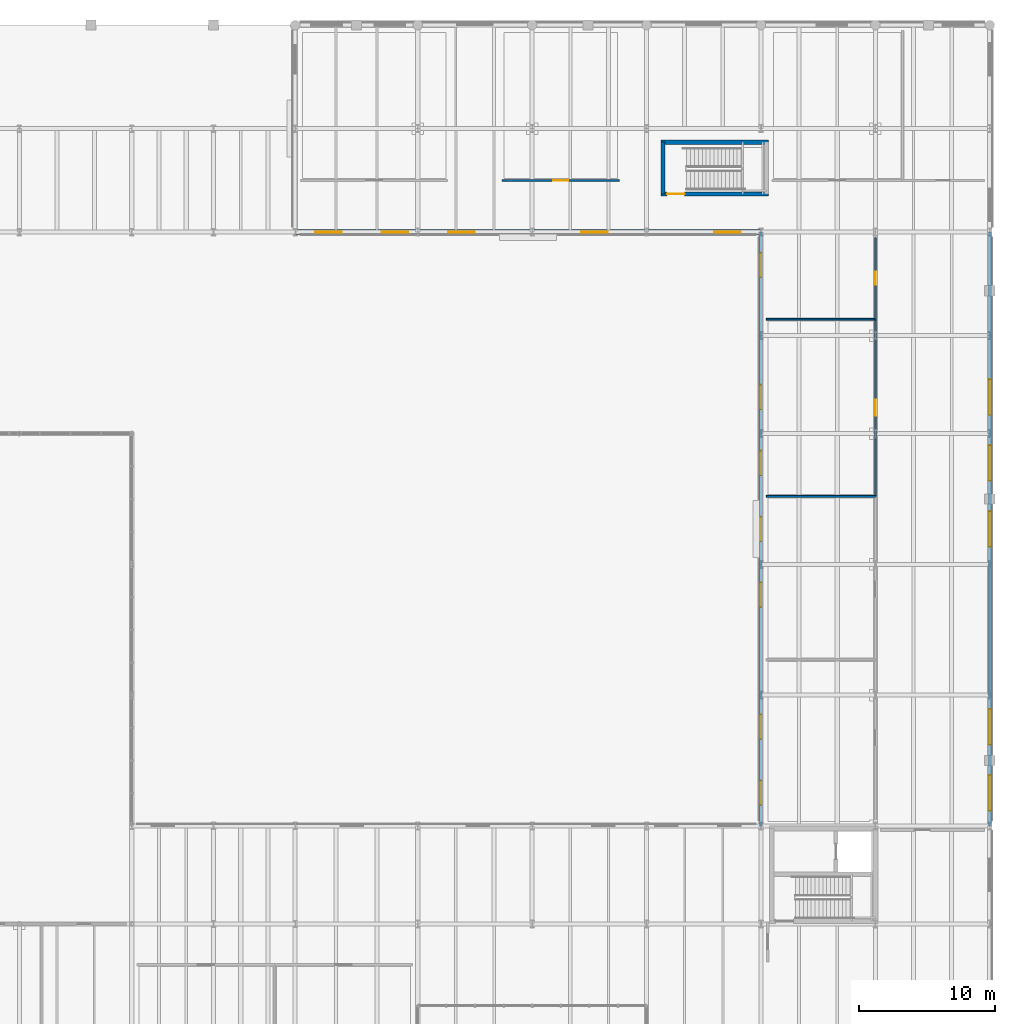
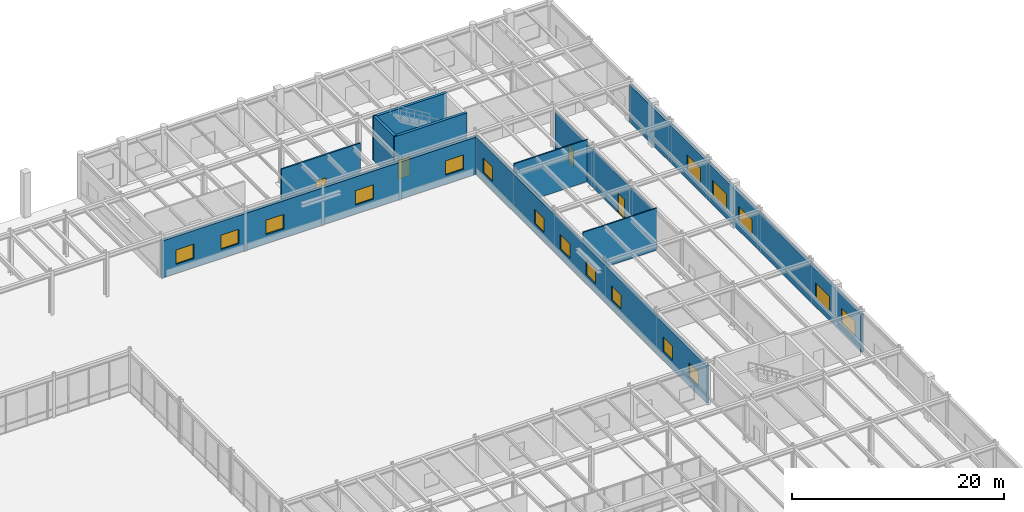
# One storey, part 46 of 64: 17 windows, 11 walls, 4 doors, 21 openings.
"""IFC4 building model written with IfcOpenShell, lengths in metres."""

from ifc_helpers import new_model, si_unit, direction, frame, frame_2d, origin, place, context, subcontext, project, spatial, rectangle, extrude, material, layer, layer_set, type_object, element, fill, save


model = new_model("IFC4")

# Units and contexts
model_context = context("Model", 3, precision=1e-05, world=origin(), true_north=direction((0.0, 1.0)))
body_context = subcontext(model_context, "Body", "Model", "MODEL_VIEW")
ifc_project = project(units=[si_unit("LENGTHUNIT", "METRE"), si_unit("AREAUNIT", "SQUARE_METRE"), si_unit("VOLUMEUNIT", "CUBIC_METRE"), si_unit("PLANEANGLEUNIT", "RADIAN"), si_unit("MASSUNIT", "GRAM", prefix="KILO")], contexts=[model_context])

# Site, building, storey
site_placement = place(None, origin())
site = spatial("IfcSite", under=ifc_project, at=site_placement, CompositionType="ELEMENT")
building_placement = place(site_placement, origin())
building = spatial("IfcBuilding", under=site, at=building_placement, Name="Montealbar Specialist Clinic", CompositionType="ELEMENT")
storey_placement = place(building_placement, origin())
storey = spatial("IfcBuildingStorey", under=building, at=storey_placement, Name="L00", CompositionType="ELEMENT", Elevation=0.0)

# Wall, opening, door
ifc_material_1 = material(Name="Concrete C35/45", Category="concrete")
ifc_layer_1 = layer(ifc_material_1, 0.300048828125, Name="Concrete C35/45", Category="concrete")
ifc_layer_set_1 = layer_set([ifc_layer_1], Name="Concrete C35/45")
wall_type_1 = type_object("IfcWallType", Name="WL-CORE-300", PredefinedType="SHEAR", material=ifc_layer_set_1)
wall_1_placement = place(storey_placement, frame((137.85009765625, 98.60009765625, 0.0), z_axis=(0.0, 0.0, 1.0), x_axis=(1.0, 0.0, 0.0)))
wall_1 = element("IfcWall", 1, at=wall_1_placement, inside=storey, type_object=wall_type_1, Name="Core C7 Shear Wall L00 S", PredefinedType="SHEAR", context=body_context, shape_type="SweptSolid", body=[
    extrude(rectangle(XDim=7.89990234375, YDim=0.300048828125, at=frame_2d((3.949951171875, 0.0))), origin(), (0.0, 0.0, 1.0), 5.10009765625),
])
opening_1_placement = place(wall_1_placement, frame((0.449951171875, 0.0, 0.0)))
opening_1 = element("IfcOpeningElement", 2, at=opening_1_placement, cuts=wall_1, Name="Opening SD-13", PredefinedType="OPENING", context=body_context, shape_type="SweptSolid", body=[
    extrude(rectangle(XDim=1.300048828125, YDim=2.14990234375, at=frame_2d((0.64990234375, 1.074951171875))), frame((0.0, 0.159912109375, 0.0), z_axis=(0.0, -1.0, 0.0), x_axis=(1.0, 0.0, 0.0)), (0.0, 0.0, 1.0), 0.320068359375),
])
ifc_material_2 = material(Name="Steel S355", Category="steel")
door_type_1 = type_object("IfcDoorType", Name="DR-STAIR-W1300", OperationType="NOTDEFINED", PredefinedType="DOOR", material=ifc_material_2)
door_1_placement = place(opening_1_placement, frame((1.300048828125, 0.0, 0.0), z_axis=(0.0, 0.0, 1.0), x_axis=(-1.0, 0.0, 0.0)))
door_1 = element("IfcDoor", 3, at=door_1_placement, inside=storey, type_object=door_type_1, Name="Protected Core C7 Stair Fire Door L00", OperationType="SINGLE_SWING_RIGHT", OverallHeight=2.14990234375, OverallWidth=1.300048828125, PredefinedType="DOOR", context=body_context, shape_type="SweptSolid", body=[
    extrude(rectangle(XDim=1.300048828125, YDim=2.14990234375, at=frame_2d((0.64990234375, 1.074951171875))), frame((0.0, 0.02490234375, 0.0), z_axis=(0.0, -1.0, 0.0), x_axis=(1.0, 0.0, 0.0)), (0.0, 0.0, 1.0), 0.050048828125),
])
fill(opening_1, door_1)

# Walls
wall_2_placement = place(storey_placement, frame((137.85009765625, 102.39990234375, 0.0), z_axis=(0.0, 0.0, 1.0), x_axis=(1.0, 0.0, 0.0)))
element("IfcWall", 4, at=wall_2_placement, inside=storey, type_object=wall_type_1, Name="Core C7 Shear Wall L00 N", PredefinedType="SHEAR", context=body_context, shape_type="SweptSolid", body=[
    extrude(rectangle(XDim=7.89990234375, YDim=0.300048828125, at=frame_2d((3.949951171875, 0.0))), origin(), (0.0, 0.0, 1.0), 5.10009765625),
])
wall_3_placement = place(storey_placement, frame((138.0, 98.60009765625, 0.0), z_axis=(0.0, 0.0, 1.0), x_axis=(0.0, 1.0, 0.0)))
element("IfcWall", 5, at=wall_3_placement, inside=storey, type_object=wall_type_1, Name="Core C7 Shear Wall L00 W", PredefinedType="SHEAR", context=body_context, shape_type="SweptSolid", body=[
    extrude(rectangle(XDim=3.7998046875, YDim=0.300048828125, at=frame_2d((1.89990234375, 0.0))), origin(), (0.0, 0.0, 1.0), 5.10009765625),
])

# Wall, openings, windows
ifc_material_3 = material(Name="Guadarrama granite ashlar", Category="masonry")
ifc_layer_2 = layer(ifc_material_3, 0.35009765625, Name="Guadarrama granite ashlar", Category="masonry")
ifc_layer_set_2 = layer_set([ifc_layer_2], Name="Guadarrama granite ashlar")
wall_type_2 = type_object("IfcWallType", Name="WL-EXT-GRANITE-350", PredefinedType="SOLIDWALL", material=ifc_layer_set_2)
wall_4_placement = place(storey_placement, frame((145.199951171875, 95.800048828125, 0.0), z_axis=(0.0, 0.0, 1.0), x_axis=(-1.0, 0.0, 0.0)))
wall_4 = element("IfcWall", 6, at=wall_4_placement, inside=storey, type_object=wall_type_2, Name="Exterior Facade Wall EW-L00-006", PredefinedType="SOLIDWALL", context=body_context, shape_type="SweptSolid", body=[
    extrude(rectangle(XDim=34.199951171875, YDim=0.35009765625, at=frame_2d((17.10009765625, 0.0))), origin(), (0.0, 0.0, 1.0), 4.260009765625),
])
opening_2_placement = place(wall_4_placement, frame((1.468017578125, 0.0, 1.050048828125)))
opening_2 = element("IfcOpeningElement", 7, at=opening_2_placement, cuts=wall_4, Name="Opening WN-06", PredefinedType="OPENING", context=body_context, shape_type="SweptSolid", body=[
    extrude(rectangle(XDim=1.949951171875, YDim=1.64990234375, at=frame_2d((0.97509765625, 0.824951171875))), frame((0.0, 0.18505859375, 0.0), z_axis=(0.0, -1.0, 0.0), x_axis=(1.0, 0.0, 0.0)), (0.0, 0.0, 1.0), 0.3701171875),
])
opening_3_placement = place(wall_4_placement, frame((11.239013671875, 0.0, 1.050048828125)))
opening_3 = element("IfcOpeningElement", 8, at=opening_3_placement, cuts=wall_4, Name="Opening WN-06", PredefinedType="OPENING", context=body_context, shape_type="SweptSolid", body=[
    extrude(rectangle(XDim=1.949951171875, YDim=1.64990234375, at=frame_2d((0.97509765625, 0.824951171875))), frame((0.0, 0.18505859375, 0.0), z_axis=(0.0, -1.0, 0.0), x_axis=(1.0, 0.0, 0.0)), (0.0, 0.0, 1.0), 0.3701171875),
])
opening_4_placement = place(wall_4_placement, frame((21.010986328125, 0.0, 1.050048828125)))
opening_4 = element("IfcOpeningElement", 9, at=opening_4_placement, cuts=wall_4, Name="Opening WN-06", PredefinedType="OPENING", context=body_context, shape_type="SweptSolid", body=[
    extrude(rectangle(XDim=1.949951171875, YDim=1.64990234375, at=frame_2d((0.97509765625, 0.824951171875))), frame((0.0, 0.18505859375, 0.0), z_axis=(0.0, -1.0, 0.0), x_axis=(1.0, 0.0, 0.0)), (0.0, 0.0, 1.0), 0.3701171875),
])
opening_5_placement = place(wall_4_placement, frame((25.89599609375, 0.0, 1.050048828125)))
opening_5 = element("IfcOpeningElement", 10, at=opening_5_placement, cuts=wall_4, Name="Opening WN-06", PredefinedType="OPENING", context=body_context, shape_type="SweptSolid", body=[
    extrude(rectangle(XDim=1.949951171875, YDim=1.64990234375, at=frame_2d((0.97509765625, 0.824951171875))), frame((0.0, 0.18505859375, 0.0), z_axis=(0.0, -1.0, 0.0), x_axis=(1.0, 0.0, 0.0)), (0.0, 0.0, 1.0), 0.3701171875),
])
opening_6_placement = place(wall_4_placement, frame((30.781982421875, 0.0, 1.050048828125)))
opening_6 = element("IfcOpeningElement", 11, at=opening_6_placement, cuts=wall_4, Name="Opening WN-06", PredefinedType="OPENING", context=body_context, shape_type="SweptSolid", body=[
    extrude(rectangle(XDim=1.949951171875, YDim=1.64990234375, at=frame_2d((0.97509765625, 0.824951171875))), frame((0.0, 0.18505859375, 0.0), z_axis=(0.0, -1.0, 0.0), x_axis=(1.0, 0.0, 0.0)), (0.0, 0.0, 1.0), 0.3701171875),
])
ifc_material_4 = material(Name="Low-E double glazing", Category="glass")
window_type_1 = type_object("IfcWindowType", Name="WIN-WN-06", PartitioningType="SINGLE_PANEL", PredefinedType="WINDOW", material=ifc_material_4)
window_1_placement = place(opening_2_placement, origin())
window_1 = element("IfcWindow", 12, at=window_1_placement, inside=storey, type_object=window_type_1, Name="Clinical Facade Window WN-06 L00-0022", OverallHeight=1.64990234375, OverallWidth=1.949951171875, PartitioningType="SINGLE_PANEL", PredefinedType="WINDOW", context=body_context, shape_type="SweptSolid", body=[
    extrude(rectangle(XDim=1.949951171875, YDim=1.64990234375, at=frame_2d((0.97509765625, 0.824951171875))), frame((0.0, 0.030029296875, 0.0), z_axis=(0.0, -1.0, 0.0), x_axis=(1.0, 0.0, 0.0)), (0.0, 0.0, 1.0), 0.06005859375),
])
fill(opening_2, window_1)
window_2_placement = place(opening_3_placement, origin())
window_2 = element("IfcWindow", 13, at=window_2_placement, inside=storey, type_object=window_type_1, Name="Clinical Facade Window WN-06 L00-0023", OverallHeight=1.64990234375, OverallWidth=1.949951171875, PartitioningType="SINGLE_PANEL", PredefinedType="WINDOW", context=body_context, shape_type="SweptSolid", body=[
    extrude(rectangle(XDim=1.949951171875, YDim=1.64990234375, at=frame_2d((0.97509765625, 0.824951171875))), frame((0.0, 0.030029296875, 0.0), z_axis=(0.0, -1.0, 0.0), x_axis=(1.0, 0.0, 0.0)), (0.0, 0.0, 1.0), 0.06005859375),
])
fill(opening_3, window_2)
window_3_placement = place(opening_4_placement, origin())
window_3 = element("IfcWindow", 14, at=window_3_placement, inside=storey, type_object=window_type_1, Name="Clinical Facade Window WN-06 L00-0024", OverallHeight=1.64990234375, OverallWidth=1.949951171875, PartitioningType="SINGLE_PANEL", PredefinedType="WINDOW", context=body_context, shape_type="SweptSolid", body=[
    extrude(rectangle(XDim=1.949951171875, YDim=1.64990234375, at=frame_2d((0.97509765625, 0.824951171875))), frame((0.0, 0.030029296875, 0.0), z_axis=(0.0, -1.0, 0.0), x_axis=(1.0, 0.0, 0.0)), (0.0, 0.0, 1.0), 0.06005859375),
])
fill(opening_4, window_3)
window_4_placement = place(opening_5_placement, origin())
window_4 = element("IfcWindow", 15, at=window_4_placement, inside=storey, type_object=window_type_1, Name="Clinical Facade Window WN-06 L00-0025", OverallHeight=1.64990234375, OverallWidth=1.949951171875, PartitioningType="SINGLE_PANEL", PredefinedType="WINDOW", context=body_context, shape_type="SweptSolid", body=[
    extrude(rectangle(XDim=1.949951171875, YDim=1.64990234375, at=frame_2d((0.97509765625, 0.824951171875))), frame((0.0, 0.030029296875, 0.0), z_axis=(0.0, -1.0, 0.0), x_axis=(1.0, 0.0, 0.0)), (0.0, 0.0, 1.0), 0.06005859375),
])
fill(opening_5, window_4)
window_5_placement = place(opening_6_placement, origin())
window_5 = element("IfcWindow", 16, at=window_5_placement, inside=storey, type_object=window_type_1, Name="Clinical Facade Window WN-06 L00-0026", OverallHeight=1.64990234375, OverallWidth=1.949951171875, PartitioningType="SINGLE_PANEL", PredefinedType="WINDOW", context=body_context, shape_type="SweptSolid", body=[
    extrude(rectangle(XDim=1.949951171875, YDim=1.64990234375, at=frame_2d((0.97509765625, 0.824951171875))), frame((0.0, 0.030029296875, 0.0), z_axis=(0.0, -1.0, 0.0), x_axis=(1.0, 0.0, 0.0)), (0.0, 0.0, 1.0), 0.06005859375),
])
fill(opening_6, window_5)

ifc_material_5 = material(Name="Terracotta architectural cladding", Category="masonry")
ifc_layer_3 = layer(ifc_material_5, 0.260009765625, Name="Terracotta architectural cladding", Category="masonry")
ifc_layer_set_3 = layer_set([ifc_layer_3], Name="Terracotta architectural cladding")
wall_type_3 = type_object("IfcWallType", Name="WL-EXT-TERRA-260", PredefinedType="SOLIDWALL", material=ifc_layer_set_3)
wall_5_placement = place(storey_placement, frame((145.199951171875, 52.199951171875, 0.0), z_axis=(0.0, 0.0, 1.0), x_axis=(0.0, 1.0, 0.0)))
wall_5 = element("IfcWall", 17, at=wall_5_placement, inside=storey, type_object=wall_type_3, Name="Exterior Facade Wall EW-L00-005", PredefinedType="SOLIDWALL", context=body_context, shape_type="SweptSolid", body=[
    extrude(rectangle(XDim=43.60009765625, YDim=0.260009765625, at=frame_2d((21.800048828125, 0.0))), origin(), (0.0, 0.0, 1.0), 4.31005859375),
])
opening_7_placement = place(wall_5_placement, frame((1.52197265625, 0.0, 1.050048828125)))
opening_7 = element("IfcOpeningElement", 18, at=opening_7_placement, cuts=wall_5, Name="Opening WN-05", PredefinedType="OPENING", context=body_context, shape_type="SweptSolid", body=[
    extrude(rectangle(XDim=1.800048828125, YDim=1.64990234375, at=frame_2d((0.89990234375, 0.824951171875))), frame((0.0, 0.139892578125, 0.0), z_axis=(0.0, -1.0, 0.0), x_axis=(1.0, 0.0, 0.0)), (0.0, 0.0, 1.0), 0.280029296875),
])
opening_8_placement = place(wall_5_placement, frame((6.366943359375, 0.0, 1.050048828125)))
opening_8 = element("IfcOpeningElement", 19, at=opening_8_placement, cuts=wall_5, Name="Opening WN-05", PredefinedType="OPENING", context=body_context, shape_type="SweptSolid", body=[
    extrude(rectangle(XDim=1.800048828125, YDim=1.64990234375, at=frame_2d((0.89990234375, 0.824951171875))), frame((0.0, 0.139892578125, 0.0), z_axis=(0.0, -1.0, 0.0), x_axis=(1.0, 0.0, 0.0)), (0.0, 0.0, 1.0), 0.280029296875),
])
opening_9_placement = place(wall_5_placement, frame((16.055908203125, 0.0, 1.050048828125)))
opening_9 = element("IfcOpeningElement", 20, at=opening_9_placement, cuts=wall_5, Name="Opening WN-05", PredefinedType="OPENING", context=body_context, shape_type="SweptSolid", body=[
    extrude(rectangle(XDim=1.800048828125, YDim=1.64990234375, at=frame_2d((0.89990234375, 0.824951171875))), frame((0.0, 0.139892578125, 0.0), z_axis=(0.0, -1.0, 0.0), x_axis=(1.0, 0.0, 0.0)), (0.0, 0.0, 1.0), 0.280029296875),
])
opening_10_placement = place(wall_5_placement, frame((20.89990234375, 0.0, 1.050048828125)))
opening_10 = element("IfcOpeningElement", 21, at=opening_10_placement, cuts=wall_5, Name="Opening WN-05", PredefinedType="OPENING", context=body_context, shape_type="SweptSolid", body=[
    extrude(rectangle(XDim=1.800048828125, YDim=1.64990234375, at=frame_2d((0.89990234375, 0.824951171875))), frame((0.0, 0.139892578125, 0.0), z_axis=(0.0, -1.0, 0.0), x_axis=(1.0, 0.0, 0.0)), (0.0, 0.0, 1.0), 0.280029296875),
])
opening_11_placement = place(wall_5_placement, frame((25.743896484375, 0.0, 1.050048828125)))
opening_11 = element("IfcOpeningElement", 22, at=opening_11_placement, cuts=wall_5, Name="Opening WN-05", PredefinedType="OPENING", context=body_context, shape_type="SweptSolid", body=[
    extrude(rectangle(XDim=1.800048828125, YDim=1.64990234375, at=frame_2d((0.89990234375, 0.824951171875))), frame((0.0, 0.139892578125, 0.0), z_axis=(0.0, -1.0, 0.0), x_axis=(1.0, 0.0, 0.0)), (0.0, 0.0, 1.0), 0.280029296875),
])
opening_12_placement = place(wall_5_placement, frame((30.589111328125, 0.0, 1.050048828125)))
opening_12 = element("IfcOpeningElement", 23, at=opening_12_placement, cuts=wall_5, Name="Opening WN-05", PredefinedType="OPENING", context=body_context, shape_type="SweptSolid", body=[
    extrude(rectangle(XDim=1.800048828125, YDim=1.64990234375, at=frame_2d((0.89990234375, 0.824951171875))), frame((0.0, 0.139892578125, 0.0), z_axis=(0.0, -1.0, 0.0), x_axis=(1.0, 0.0, 0.0)), (0.0, 0.0, 1.0), 0.280029296875),
])
opening_13_placement = place(wall_5_placement, frame((40.278076171875, 0.0, 1.050048828125)))
opening_13 = element("IfcOpeningElement", 24, at=opening_13_placement, cuts=wall_5, Name="Opening WN-05", PredefinedType="OPENING", context=body_context, shape_type="SweptSolid", body=[
    extrude(rectangle(XDim=1.800048828125, YDim=1.64990234375, at=frame_2d((0.89990234375, 0.824951171875))), frame((0.0, 0.139892578125, 0.0), z_axis=(0.0, -1.0, 0.0), x_axis=(1.0, 0.0, 0.0)), (0.0, 0.0, 1.0), 0.280029296875),
])
window_type_2 = type_object("IfcWindowType", Name="WIN-WN-05", PartitioningType="SINGLE_PANEL", PredefinedType="WINDOW", material=ifc_material_4)
window_6_placement = place(opening_7_placement, origin())
window_6 = element("IfcWindow", 25, at=window_6_placement, inside=storey, type_object=window_type_2, Name="Clinical Facade Window WN-05 L00-0015", OverallHeight=1.64990234375, OverallWidth=1.800048828125, PartitioningType="SINGLE_PANEL", PredefinedType="WINDOW", context=body_context, shape_type="SweptSolid", body=[
    extrude(rectangle(XDim=1.800048828125, YDim=1.64990234375, at=frame_2d((0.89990234375, 0.824951171875))), frame((0.0, 0.030029296875, 0.0), z_axis=(0.0, -1.0, 0.0), x_axis=(1.0, 0.0, 0.0)), (0.0, 0.0, 1.0), 0.06005859375),
])
fill(opening_7, window_6)
window_7_placement = place(opening_8_placement, origin())
window_7 = element("IfcWindow", 26, at=window_7_placement, inside=storey, type_object=window_type_2, Name="Clinical Facade Window WN-05 L00-0016", OverallHeight=1.64990234375, OverallWidth=1.800048828125, PartitioningType="SINGLE_PANEL", PredefinedType="WINDOW", context=body_context, shape_type="SweptSolid", body=[
    extrude(rectangle(XDim=1.800048828125, YDim=1.64990234375, at=frame_2d((0.89990234375, 0.824951171875))), frame((0.0, 0.030029296875, 0.0), z_axis=(0.0, -1.0, 0.0), x_axis=(1.0, 0.0, 0.0)), (0.0, 0.0, 1.0), 0.06005859375),
])
fill(opening_8, window_7)
window_8_placement = place(opening_9_placement, origin())
window_8 = element("IfcWindow", 27, at=window_8_placement, inside=storey, type_object=window_type_2, Name="Clinical Facade Window WN-05 L00-0017", OverallHeight=1.64990234375, OverallWidth=1.800048828125, PartitioningType="SINGLE_PANEL", PredefinedType="WINDOW", context=body_context, shape_type="SweptSolid", body=[
    extrude(rectangle(XDim=1.800048828125, YDim=1.64990234375, at=frame_2d((0.89990234375, 0.824951171875))), frame((0.0, 0.030029296875, 0.0), z_axis=(0.0, -1.0, 0.0), x_axis=(1.0, 0.0, 0.0)), (0.0, 0.0, 1.0), 0.06005859375),
])
fill(opening_9, window_8)
window_9_placement = place(opening_10_placement, origin())
window_9 = element("IfcWindow", 28, at=window_9_placement, inside=storey, type_object=window_type_2, Name="Clinical Facade Window WN-05 L00-0018", OverallHeight=1.64990234375, OverallWidth=1.800048828125, PartitioningType="SINGLE_PANEL", PredefinedType="WINDOW", context=body_context, shape_type="SweptSolid", body=[
    extrude(rectangle(XDim=1.800048828125, YDim=1.64990234375, at=frame_2d((0.89990234375, 0.824951171875))), frame((0.0, 0.030029296875, 0.0), z_axis=(0.0, -1.0, 0.0), x_axis=(1.0, 0.0, 0.0)), (0.0, 0.0, 1.0), 0.06005859375),
])
fill(opening_10, window_9)
window_10_placement = place(opening_11_placement, origin())
window_10 = element("IfcWindow", 29, at=window_10_placement, inside=storey, type_object=window_type_2, Name="Clinical Facade Window WN-05 L00-0019", OverallHeight=1.64990234375, OverallWidth=1.800048828125, PartitioningType="SINGLE_PANEL", PredefinedType="WINDOW", context=body_context, shape_type="SweptSolid", body=[
    extrude(rectangle(XDim=1.800048828125, YDim=1.64990234375, at=frame_2d((0.89990234375, 0.824951171875))), frame((0.0, 0.030029296875, 0.0), z_axis=(0.0, -1.0, 0.0), x_axis=(1.0, 0.0, 0.0)), (0.0, 0.0, 1.0), 0.06005859375),
])
fill(opening_11, window_10)
window_11_placement = place(opening_12_placement, origin())
window_11 = element("IfcWindow", 30, at=window_11_placement, inside=storey, type_object=window_type_2, Name="Clinical Facade Window WN-05 L00-0020", OverallHeight=1.64990234375, OverallWidth=1.800048828125, PartitioningType="SINGLE_PANEL", PredefinedType="WINDOW", context=body_context, shape_type="SweptSolid", body=[
    extrude(rectangle(XDim=1.800048828125, YDim=1.64990234375, at=frame_2d((0.89990234375, 0.824951171875))), frame((0.0, 0.030029296875, 0.0), z_axis=(0.0, -1.0, 0.0), x_axis=(1.0, 0.0, 0.0)), (0.0, 0.0, 1.0), 0.06005859375),
])
fill(opening_12, window_11)
window_12_placement = place(opening_13_placement, origin())
window_12 = element("IfcWindow", 31, at=window_12_placement, inside=storey, type_object=window_type_2, Name="Clinical Facade Window WN-05 L00-0021", OverallHeight=1.64990234375, OverallWidth=1.800048828125, PartitioningType="SINGLE_PANEL", PredefinedType="WINDOW", context=body_context, shape_type="SweptSolid", body=[
    extrude(rectangle(XDim=1.800048828125, YDim=1.64990234375, at=frame_2d((0.89990234375, 0.824951171875))), frame((0.0, 0.030029296875, 0.0), z_axis=(0.0, -1.0, 0.0), x_axis=(1.0, 0.0, 0.0)), (0.0, 0.0, 1.0), 0.06005859375),
])
fill(opening_13, window_12)

wall_6_placement = place(storey_placement, frame((162.0, 95.800048828125, 0.0), z_axis=(0.0, 0.0, 1.0), x_axis=(0.0, -1.0, 0.0)))
wall_6 = element("IfcWall", 32, at=wall_6_placement, inside=storey, type_object=wall_type_3, Name="Exterior Facade Wall EW-L00-010", PredefinedType="SOLIDWALL", context=body_context, shape_type="SweptSolid", body=[
    extrude(rectangle(XDim=43.60009765625, YDim=0.260009765625, at=frame_2d((21.800048828125, 0.0))), origin(), (0.0, 0.0, 1.0), 4.31005859375),
])
opening_14_placement = place(wall_6_placement, frame((10.81103515625, 0.0, 1.050048828125)))
opening_14 = element("IfcOpeningElement", 33, at=opening_14_placement, cuts=wall_6, Name="Opening WN-10", PredefinedType="OPENING", context=body_context, shape_type="SweptSolid", body=[
    extrude(rectangle(XDim=2.60009765625, YDim=1.75, at=frame_2d((1.300048828125, 0.875))), frame((0.0, 0.139892578125, 0.0), z_axis=(0.0, -1.0, 0.0), x_axis=(1.0, 0.0, 0.0)), (0.0, 0.0, 1.0), 0.280029296875),
])
opening_15_placement = place(wall_6_placement, frame((15.656005859375, 0.0, 1.050048828125)))
opening_15 = element("IfcOpeningElement", 34, at=opening_15_placement, cuts=wall_6, Name="Opening WN-10", PredefinedType="OPENING", context=body_context, shape_type="SweptSolid", body=[
    extrude(rectangle(XDim=2.60009765625, YDim=1.75, at=frame_2d((1.300048828125, 0.875))), frame((0.0, 0.139892578125, 0.0), z_axis=(0.0, -1.0, 0.0), x_axis=(1.0, 0.0, 0.0)), (0.0, 0.0, 1.0), 0.280029296875),
])
opening_16_placement = place(wall_6_placement, frame((20.5, 0.0, 1.050048828125)))
opening_16 = element("IfcOpeningElement", 35, at=opening_16_placement, cuts=wall_6, Name="Opening WN-10", PredefinedType="OPENING", context=body_context, shape_type="SweptSolid", body=[
    extrude(rectangle(XDim=2.60009765625, YDim=1.75, at=frame_2d((1.300048828125, 0.875))), frame((0.0, 0.139892578125, 0.0), z_axis=(0.0, -1.0, 0.0), x_axis=(1.0, 0.0, 0.0)), (0.0, 0.0, 1.0), 0.280029296875),
])
opening_17_placement = place(wall_6_placement, frame((35.032958984375, 0.0, 1.050048828125)))
opening_17 = element("IfcOpeningElement", 36, at=opening_17_placement, cuts=wall_6, Name="Opening WN-10", PredefinedType="OPENING", context=body_context, shape_type="SweptSolid", body=[
    extrude(rectangle(XDim=2.60009765625, YDim=1.75, at=frame_2d((1.300048828125, 0.875))), frame((0.0, 0.139892578125, 0.0), z_axis=(0.0, -1.0, 0.0), x_axis=(1.0, 0.0, 0.0)), (0.0, 0.0, 1.0), 0.280029296875),
])
opening_18_placement = place(wall_6_placement, frame((39.8779296875, 0.0, 1.050048828125)))
opening_18 = element("IfcOpeningElement", 37, at=opening_18_placement, cuts=wall_6, Name="Opening WN-10", PredefinedType="OPENING", context=body_context, shape_type="SweptSolid", body=[
    extrude(rectangle(XDim=2.60009765625, YDim=1.75, at=frame_2d((1.300048828125, 0.875))), frame((0.0, 0.139892578125, 0.0), z_axis=(0.0, -1.0, 0.0), x_axis=(1.0, 0.0, 0.0)), (0.0, 0.0, 1.0), 0.280029296875),
])
window_type_3 = type_object("IfcWindowType", Name="WIN-WN-10", PartitioningType="SINGLE_PANEL", PredefinedType="WINDOW", material=ifc_material_4)
window_13_placement = place(opening_14_placement, origin())
window_13 = element("IfcWindow", 38, at=window_13_placement, inside=storey, type_object=window_type_3, Name="Clinical Facade Window WN-10 L00-0033", OverallHeight=1.75, OverallWidth=2.60009765625, PartitioningType="SINGLE_PANEL", PredefinedType="WINDOW", context=body_context, shape_type="SweptSolid", body=[
    extrude(rectangle(XDim=2.60009765625, YDim=1.75, at=frame_2d((1.300048828125, 0.875))), frame((0.0, 0.030029296875, 0.0), z_axis=(0.0, -1.0, 0.0), x_axis=(1.0, 0.0, 0.0)), (0.0, 0.0, 1.0), 0.06005859375),
])
fill(opening_14, window_13)
window_14_placement = place(opening_15_placement, origin())
window_14 = element("IfcWindow", 39, at=window_14_placement, inside=storey, type_object=window_type_3, Name="Clinical Facade Window WN-10 L00-0034", OverallHeight=1.75, OverallWidth=2.60009765625, PartitioningType="SINGLE_PANEL", PredefinedType="WINDOW", context=body_context, shape_type="SweptSolid", body=[
    extrude(rectangle(XDim=2.60009765625, YDim=1.75, at=frame_2d((1.300048828125, 0.875))), frame((0.0, 0.030029296875, 0.0), z_axis=(0.0, -1.0, 0.0), x_axis=(1.0, 0.0, 0.0)), (0.0, 0.0, 1.0), 0.06005859375),
])
fill(opening_15, window_14)
window_15_placement = place(opening_16_placement, origin())
window_15 = element("IfcWindow", 40, at=window_15_placement, inside=storey, type_object=window_type_3, Name="Clinical Facade Window WN-10 L00-0035", OverallHeight=1.75, OverallWidth=2.60009765625, PartitioningType="SINGLE_PANEL", PredefinedType="WINDOW", context=body_context, shape_type="SweptSolid", body=[
    extrude(rectangle(XDim=2.60009765625, YDim=1.75, at=frame_2d((1.300048828125, 0.875))), frame((0.0, 0.030029296875, 0.0), z_axis=(0.0, -1.0, 0.0), x_axis=(1.0, 0.0, 0.0)), (0.0, 0.0, 1.0), 0.06005859375),
])
fill(opening_16, window_15)
window_16_placement = place(opening_17_placement, origin())
window_16 = element("IfcWindow", 41, at=window_16_placement, inside=storey, type_object=window_type_3, Name="Clinical Facade Window WN-10 L00-0036", OverallHeight=1.75, OverallWidth=2.60009765625, PartitioningType="SINGLE_PANEL", PredefinedType="WINDOW", context=body_context, shape_type="SweptSolid", body=[
    extrude(rectangle(XDim=2.60009765625, YDim=1.75, at=frame_2d((1.300048828125, 0.875))), frame((0.0, 0.030029296875, 0.0), z_axis=(0.0, -1.0, 0.0), x_axis=(1.0, 0.0, 0.0)), (0.0, 0.0, 1.0), 0.06005859375),
])
fill(opening_17, window_16)
window_17_placement = place(opening_18_placement, origin())
window_17 = element("IfcWindow", 42, at=window_17_placement, inside=storey, type_object=window_type_3, Name="Clinical Facade Window WN-10 L00-0037", OverallHeight=1.75, OverallWidth=2.60009765625, PartitioningType="SINGLE_PANEL", PredefinedType="WINDOW", context=body_context, shape_type="SweptSolid", body=[
    extrude(rectangle(XDim=2.60009765625, YDim=1.75, at=frame_2d((1.300048828125, 0.875))), frame((0.0, 0.030029296875, 0.0), z_axis=(0.0, -1.0, 0.0), x_axis=(1.0, 0.0, 0.0)), (0.0, 0.0, 1.0), 0.06005859375),
])
fill(opening_18, window_17)

# Walls
ifc_material_6 = material(Name="Gypsum acoustic partition", Category="gypsum")
ifc_layer_4 = layer(ifc_material_6, 0.139892578125, Name="Gypsum acoustic partition", Category="gypsum")
ifc_layer_set_4 = layer_set([ifc_layer_4], Name="Gypsum acoustic partition")
wall_type_4 = type_object("IfcWallType", Name="WL-PART-ACOUSTIC-140", PredefinedType="PARTITIONING", material=ifc_layer_set_4)
for number, where, z_axis, x_axis, name in (
    (43, (145.60009765625, 76.39990234375, 0.0), (0.0, 0.0, 1.0), (1.0, 0.0, 0.0), "Clinical Partition PART-L00-0067"),
    (44, (145.60009765625, 89.39990234375, 0.0), (0.0, 0.0, 1.0), (1.0, 0.0, 0.0), "Clinical Partition PART-L00-0069"),
):
    element("IfcWall", number, at=place(storey_placement, frame(where, z_axis=z_axis, x_axis=x_axis)), inside=storey, type_object=wall_type_4, Name=name, PredefinedType="PARTITIONING", context=body_context, shape_type="SweptSolid", body=[
        extrude(rectangle(XDim=8.0, YDim=0.139892578125, at=frame_2d((4.0, 0.0))), origin(), (0.0, 0.0, 1.0), 4.820068359375),
    ])

# Wall, opening, door
ifc_layer_5 = layer(ifc_material_6, 0.159912109375, Name="Gypsum acoustic partition", Category="gypsum")
ifc_layer_set_5 = layer_set([ifc_layer_5], Name="Gypsum acoustic partition")
wall_type_5 = type_object("IfcWallType", Name="WL-PART-CLINIC-160", PredefinedType="PARTITIONING", material=ifc_layer_set_5)
wall_7_placement = place(storey_placement, frame((126.199951171875, 99.60009765625, 0.0), z_axis=(0.0, 0.0, 1.0), x_axis=(1.0, 0.0, 0.0)))
wall_7 = element("IfcWall", 45, at=wall_7_placement, inside=storey, type_object=wall_type_5, Name="Clinical Partition PART-L00-0034", PredefinedType="PARTITIONING", context=body_context, shape_type="SweptSolid", body=[
    extrude(rectangle(XDim=8.60009765625, YDim=0.159912109375, at=frame_2d((4.300048828125, 0.0))), origin(), (0.0, 0.0, 1.0), 4.820068359375),
])
opening_19_placement = place(wall_7_placement, frame((3.75, 0.0, 0.0)))
opening_19 = element("IfcOpeningElement", 46, at=opening_19_placement, cuts=wall_7, Name="Opening ID-110", PredefinedType="OPENING", context=body_context, shape_type="SweptSolid", body=[
    extrude(rectangle(XDim=1.10009765625, YDim=2.14990234375, at=frame_2d((0.550048828125, 1.074951171875))), frame((0.0, 0.08984375, 0.0), z_axis=(0.0, -1.0, 0.0), x_axis=(1.0, 0.0, 0.0)), (0.0, 0.0, 1.0), 0.179931640625),
])
ifc_material_7 = material(Name="Acoustic timber leaf", Category="wood")
door_type_2 = type_object("IfcDoorType", Name="DR-CLIN-W1100", OperationType="NOTDEFINED", PredefinedType="DOOR", material=ifc_material_7)
door_2_placement = place(opening_19_placement, frame((1.10009765625, 0.0, 0.0), z_axis=(0.0, 0.0, 1.0), x_axis=(-1.0, 0.0, 0.0)))
door_2 = element("IfcDoor", 47, at=door_2_placement, inside=storey, type_object=door_type_2, Name="Clinical Room Door IDR-L00-0023", OperationType="SINGLE_SWING_LEFT", OverallHeight=2.14990234375, OverallWidth=1.10009765625, PredefinedType="DOOR", context=body_context, shape_type="SweptSolid", body=[
    extrude(rectangle(XDim=1.10009765625, YDim=2.14990234375, at=frame_2d((0.550048828125, 1.074951171875))), frame((0.0, 0.02490234375, 0.0), z_axis=(0.0, -1.0, 0.0), x_axis=(1.0, 0.0, 0.0)), (0.0, 0.0, 1.0), 0.050048828125),
])
fill(opening_19, door_2)

wall_8_placement = place(storey_placement, frame((153.60009765625, 76.39990234375, 0.0), z_axis=(0.0, 0.0, 1.0), x_axis=(0.0, 1.0, 0.0)))
wall_8 = element("IfcWall", 48, at=wall_8_placement, inside=storey, type_object=wall_type_5, Name="Clinical Partition PART-L00-0068", PredefinedType="PARTITIONING", context=body_context, shape_type="SweptSolid", body=[
    extrude(rectangle(XDim=13.0, YDim=0.159912109375, at=frame_2d((6.5, 0.0))), origin(), (0.0, 0.0, 1.0), 4.31005859375),
])
opening_20_placement = place(wall_8_placement, frame((5.89990234375, 0.0, 0.0)))
opening_20 = element("IfcOpeningElement", 49, at=opening_20_placement, cuts=wall_8, Name="Opening ID-120", PredefinedType="OPENING", context=body_context, shape_type="SweptSolid", body=[
    extrude(rectangle(XDim=1.199951171875, YDim=2.199951171875, at=frame_2d((0.60009765625, 1.10009765625))), frame((0.0, 0.08984375, 0.0), z_axis=(0.0, -1.0, 0.0), x_axis=(1.0, 0.0, 0.0)), (0.0, 0.0, 1.0), 0.179931640625),
])
door_type_3 = type_object("IfcDoorType", Name="DR-CLIN-W1200", OperationType="NOTDEFINED", PredefinedType="DOOR", material=ifc_material_7)
door_3_placement = place(opening_20_placement, frame((1.199951171875, 0.0, 0.0), z_axis=(0.0, 0.0, 1.0), x_axis=(-1.0, 0.0, 0.0)))
door_3 = element("IfcDoor", 50, at=door_3_placement, inside=storey, type_object=door_type_3, Name="Clinical Room Door IDR-L00-0047", OperationType="SINGLE_SWING_LEFT", OverallHeight=2.199951171875, OverallWidth=1.199951171875, PredefinedType="DOOR", context=body_context, shape_type="SweptSolid", body=[
    extrude(rectangle(XDim=1.199951171875, YDim=2.199951171875, at=frame_2d((0.60009765625, 1.10009765625))), frame((0.0, 0.02490234375, 0.0), z_axis=(0.0, -1.0, 0.0), x_axis=(1.0, 0.0, 0.0)), (0.0, 0.0, 1.0), 0.050048828125),
])
fill(opening_20, door_3)

wall_9_placement = place(storey_placement, frame((153.60009765625, 89.39990234375, 0.0), z_axis=(0.0, 0.0, 1.0), x_axis=(0.0, 1.0, 0.0)))
wall_9 = element("IfcWall", 51, at=wall_9_placement, inside=storey, type_object=wall_type_5, Name="Clinical Partition PART-L00-0070", PredefinedType="PARTITIONING", context=body_context, shape_type="SweptSolid", body=[
    extrude(rectangle(XDim=6.0, YDim=0.159912109375, at=frame_2d((3.0, 0.0))), origin(), (0.0, 0.0, 1.0), 4.360107421875),
])
opening_21_placement = place(wall_9_placement, frame((2.52490234375, 0.0, 0.0)))
opening_21 = element("IfcOpeningElement", 52, at=opening_21_placement, cuts=wall_9, Name="Opening ID-095", PredefinedType="OPENING", context=body_context, shape_type="SweptSolid", body=[
    extrude(rectangle(XDim=0.949951171875, YDim=2.10009765625, at=frame_2d((0.47509765625, 1.050048828125))), frame((0.0, 0.08984375, 0.0), z_axis=(0.0, -1.0, 0.0), x_axis=(1.0, 0.0, 0.0)), (0.0, 0.0, 1.0), 0.179931640625),
])
door_type_4 = type_object("IfcDoorType", Name="DR-WC-W0950", OperationType="NOTDEFINED", PredefinedType="DOOR", material=ifc_material_7)
door_4_placement = place(opening_21_placement, frame((0.949951171875, 0.0, 0.0), z_axis=(0.0, 0.0, 1.0), x_axis=(-1.0, 0.0, 0.0)))
door_4 = element("IfcDoor", 53, at=door_4_placement, inside=storey, type_object=door_type_4, Name="Clinical Room Door IDR-L00-0048", OperationType="SINGLE_SWING_RIGHT", OverallHeight=2.10009765625, OverallWidth=0.949951171875, PredefinedType="DOOR", context=body_context, shape_type="SweptSolid", body=[
    extrude(rectangle(XDim=0.949951171875, YDim=2.10009765625, at=frame_2d((0.47509765625, 1.050048828125))), frame((0.0, 0.02490234375, 0.0), z_axis=(0.0, -1.0, 0.0), x_axis=(1.0, 0.0, 0.0)), (0.0, 0.0, 1.0), 0.050048828125),
])
fill(opening_21, door_4)

save(model, "model.ifc")
